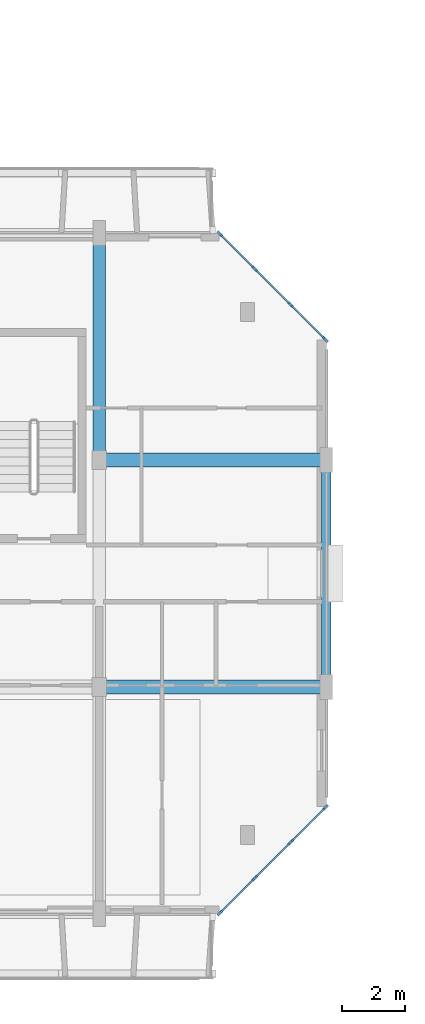
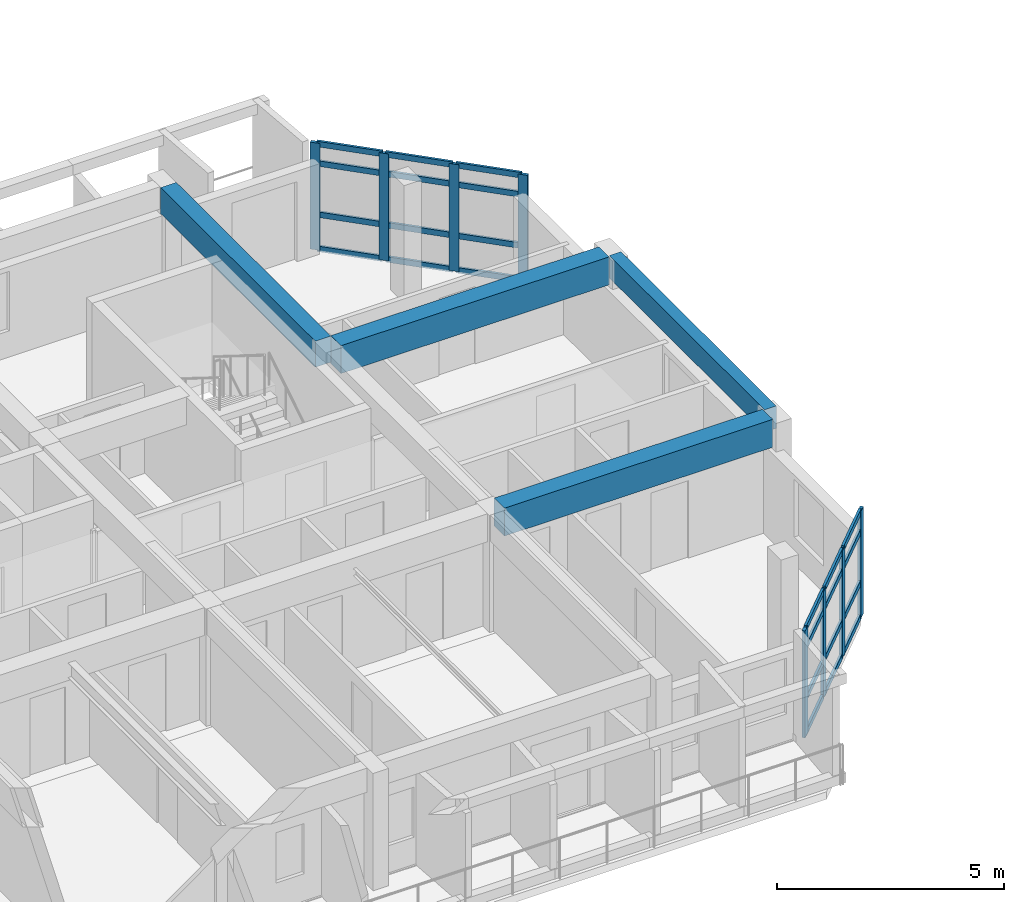
# One storey, part 4 of 45: 32 members, 4 beams, 2 elements without a shape of their own.
"""IFC4 building model written with IfcOpenShell, lengths in metres."""

from ifc_helpers import new_model, si_unit, direction, frame, origin, origin_2d, place, context, subcontext, project, spatial, rectangle, extrude, material, layer, layer_set, material_profile, profile_set, type_object, element, aggregate, save


model = new_model("IFC4")

# Units and contexts
model_context = context("Model", 3, precision=1e-05, world=origin(), true_north=direction((0.0, 1.0)))
body_context = subcontext(model_context, "Body", "Model", "MODEL_VIEW")
ifc_project = project(units=[si_unit("LENGTHUNIT", "METRE"), si_unit("AREAUNIT", "SQUARE_METRE"), si_unit("VOLUMEUNIT", "CUBIC_METRE"), si_unit("PLANEANGLEUNIT", "RADIAN"), si_unit("MASSUNIT", "GRAM", prefix="KILO")], contexts=[model_context])

# Site, building, storey
site_placement = place(None, origin())
site = spatial("IfcSite", under=ifc_project, at=site_placement, CompositionType="ELEMENT")
building_placement = place(site_placement, origin())
building = spatial("IfcBuilding", under=site, at=building_placement, Name="Ochrevale Crest", CompositionType="ELEMENT")
storey_placement = place(building_placement, frame((0.0, 0.0, 18.14990234375)))
storey = spatial("IfcBuildingStorey", under=building, at=storey_placement, Name="L05", CompositionType="ELEMENT", Elevation=18.14990234375)

# Beams
ifc_material_1 = material(Name="Precast concrete C50/60", Category="concrete")
ifc_material_profile_1 = material_profile(ifc_material_1, rectangle(XDim=0.39990234375, YDim=0.699951171875, at=origin_2d()), Name="PC 400x700")
ifc_profile_set_1 = profile_set([ifc_material_profile_1], Name="Precast concrete C50/60")
beam_type_1 = type_object("IfcBeamType", Name="BM-PC400x700", PredefinedType="BEAM", material=ifc_profile_set_1)
beam_1_placement = place(storey_placement, frame((28.800048828125, 29.0048828125, 2.800048828125), z_axis=(0.0, 1.0, 0.0), x_axis=(-1.0, 0.0, 0.0)))
element("IfcBeam", 1, at=beam_1_placement, inside=storey, type_object=beam_type_1, Name="Block A L05 N-S beam X=28.8", PredefinedType="BEAM", context=body_context, shape_type="SweptSolid", body=[
    extrude(rectangle(XDim=0.39990234375, YDim=0.699951171875, at=origin_2d()), origin(), (0.0, 0.0, 1.0), 6.815185546875),
])
ifc_material_2 = material(Name="Concrete C50/60", Category="concrete")
ifc_material_profile_2 = material_profile(ifc_material_2, rectangle(XDim=0.449951171875, YDim=0.75, at=origin_2d()), Name="RC 450x750")
ifc_profile_set_2 = profile_set([ifc_material_profile_2], Name="Concrete C50/60")
beam_type_2 = type_object("IfcBeamType", Name="BM-PG450x750", PredefinedType="USERDEFINED", material=ifc_profile_set_2)
for number, where, z_axis, x_axis, name in (
    (2, (29.0, 21.60009765625, 2.775146484375), (1.0, 0.0, 0.0), (0.0, 1.0, 0.0), "Block A L05 E-W beam Y=21.6"),
    (3, (29.0, 28.800048828125, 2.775146484375), (1.0, 0.0, 0.0), (0.0, 1.0, 0.0), "Block A L05 E-W beam Y=28.8"),
):
    element("IfcBeam", number, at=place(storey_placement, frame(where, z_axis=z_axis, x_axis=x_axis)), inside=storey, type_object=beam_type_2, Name=name, ObjectType="GIRDER", PredefinedType="USERDEFINED", context=body_context, shape_type="SweptSolid", body=[
        extrude(rectangle(XDim=0.449951171875, YDim=0.75, at=origin_2d()), origin(), (0.0, 0.0, 1.0), 6.824951171875),
    ])
ifc_material_3 = material(Name="Precast concrete C40/50", Category="concrete")
ifc_material_profile_3 = material_profile(ifc_material_3, rectangle(XDim=0.300048828125, YDim=0.60009765625, at=origin_2d()), Name="PC 300x600")
ifc_profile_set_3 = profile_set([ifc_material_profile_3], Name="Precast concrete C40/50")
beam_type_3 = type_object("IfcBeamType", Name="BM-SP300x600", PredefinedType="SPANDREL", material=ifc_profile_set_3)
beam_2_placement = place(storey_placement, frame((36.0, 21.780029296875, 2.85009765625), z_axis=(0.0, 1.0, 0.0), x_axis=(-1.0, 0.0, 0.0)))
element("IfcBeam", 4, at=beam_2_placement, inside=storey, type_object=beam_type_3, Name="Block A L05 N-S beam X=36.0", PredefinedType="SPANDREL", context=body_context, shape_type="SweptSolid", body=[
    extrude(rectangle(XDim=0.300048828125, YDim=0.60009765625, at=origin_2d()), origin(), (0.0, 0.0, 1.0), 6.840087890625),
])

# Curtain wall, members
ifc_material_4 = material(Name="Anodised aluminium 6063-T5", Category="aluminium")
ifc_layer_1 = layer(ifc_material_4, 0.14990234375)
ifc_layer_set_1 = layer_set([ifc_layer_1], Name="Anodised aluminium 6063-T5")
curtain_wall_type_1 = type_object("IfcCurtainWallType", Name="CW-WG-320x285", PredefinedType="NOTDEFINED", material=ifc_layer_set_1)
curtain_wall_1_placement = place(storey_placement, origin())
curtain_wall_1 = element("IfcCurtainWall", 5, at=curtain_wall_1_placement, inside=storey, type_object=curtain_wall_type_1, Name="Block A L05 chamfered corner wintergarden curtain wall 2", PredefinedType="NOTDEFINED")
ifc_material_profile_4 = material_profile(ifc_material_4, rectangle(XDim=0.074951171875, YDim=0.219970703125, at=origin_2d()), Name="ALU 75x220")
ifc_profile_set_4 = profile_set([ifc_material_profile_4], Name="Anodised aluminium 6063-T5")
member_type_1 = type_object("IfcMemberType", Name="CW-MUL-75x220", PredefinedType="MULLION", material=ifc_profile_set_4)
member_1_placement = place(storey_placement, frame((32.62646484375, 14.426513671875, 0.0), z_axis=(0.0, 0.0, 1.0), x_axis=(-0.707106781187, 0.707106781187, 0.0)))
member_1 = element("IfcMember", 6, at=member_1_placement, type_object=member_type_1, Name="CW17 mullion 1", PredefinedType="MULLION", context=body_context, shape_type="SweptSolid", body=[
    extrude(rectangle(XDim=0.074951171875, YDim=0.219970703125, at=origin_2d()), origin(), (0.0, 0.0, 1.0), 2.875),
])
member_2_placement = place(storey_placement, frame((33.7333984375, 15.533447265625, 0.0), z_axis=(0.0, 0.0, 1.0), x_axis=(-0.707106781187, 0.707106781187, 0.0)))
member_2 = element("IfcMember", 7, at=member_2_placement, type_object=member_type_1, Name="CW17 mullion 2", PredefinedType="MULLION", context=body_context, shape_type="SweptSolid", body=[
    extrude(rectangle(XDim=0.074951171875, YDim=0.219970703125, at=origin_2d()), origin(), (0.0, 0.0, 1.0), 2.875),
])
member_3_placement = place(storey_placement, frame((34.86669921875, 16.666748046875, 0.0), z_axis=(0.0, 0.0, 1.0), x_axis=(-0.707106781187, 0.707106781187, 0.0)))
member_3 = element("IfcMember", 8, at=member_3_placement, type_object=member_type_1, Name="CW17 mullion 3", PredefinedType="MULLION", context=body_context, shape_type="SweptSolid", body=[
    extrude(rectangle(XDim=0.074951171875, YDim=0.219970703125, at=origin_2d()), origin(), (0.0, 0.0, 1.0), 2.875),
])
member_4_placement = place(storey_placement, frame((35.973388671875, 17.7734375, 0.0), z_axis=(0.0, 0.0, 1.0), x_axis=(-0.707106781187, 0.707106781187, 0.0)))
member_4 = element("IfcMember", 9, at=member_4_placement, type_object=member_type_1, Name="CW17 mullion 4", PredefinedType="MULLION", context=body_context, shape_type="SweptSolid", body=[
    extrude(rectangle(XDim=0.074951171875, YDim=0.219970703125, at=origin_2d()), origin(), (0.0, 0.0, 1.0), 2.875),
])

ifc_layer_2 = layer(ifc_material_4, 0.14990234375)
ifc_layer_set_2 = layer_set([ifc_layer_2], Name="Anodised aluminium 6063-T5")
curtain_wall_type_2 = type_object("IfcCurtainWallType", Name="CW-WG-420x285", PredefinedType="NOTDEFINED", material=ifc_layer_set_2)
curtain_wall_2_placement = place(storey_placement, origin())
curtain_wall_2 = element("IfcCurtainWall", 10, at=curtain_wall_2_placement, inside=storey, type_object=curtain_wall_type_2, Name="Block A L05 chamfered corner wintergarden curtain wall 4", PredefinedType="NOTDEFINED")
member_5_placement = place(storey_placement, frame((35.973388671875, 32.62646484375, 0.0), z_axis=(0.0, 0.0, 1.0), x_axis=(-0.707106781187, -0.707106781187, 0.0)))
member_5 = element("IfcMember", 11, at=member_5_placement, type_object=member_type_1, Name="CW22 mullion 1", PredefinedType="MULLION", context=body_context, shape_type="SweptSolid", body=[
    extrude(rectangle(XDim=0.074951171875, YDim=0.219970703125, at=origin_2d()), origin(), (0.0, 0.0, 1.0), 2.875),
])
member_6_placement = place(storey_placement, frame((34.86669921875, 33.7333984375, 0.0), z_axis=(0.0, 0.0, 1.0), x_axis=(-0.707106781187, -0.707106781187, 0.0)))
member_6 = element("IfcMember", 12, at=member_6_placement, type_object=member_type_1, Name="CW22 mullion 2", PredefinedType="MULLION", context=body_context, shape_type="SweptSolid", body=[
    extrude(rectangle(XDim=0.074951171875, YDim=0.219970703125, at=origin_2d()), origin(), (0.0, 0.0, 1.0), 2.875),
])
member_7_placement = place(storey_placement, frame((33.7333984375, 34.86669921875, 0.0), z_axis=(0.0, 0.0, 1.0), x_axis=(-0.707106781187, -0.707106781187, 0.0)))
member_7 = element("IfcMember", 13, at=member_7_placement, type_object=member_type_1, Name="CW22 mullion 3", PredefinedType="MULLION", context=body_context, shape_type="SweptSolid", body=[
    extrude(rectangle(XDim=0.074951171875, YDim=0.219970703125, at=origin_2d()), origin(), (0.0, 0.0, 1.0), 2.875),
])
member_8_placement = place(storey_placement, frame((32.62646484375, 35.973388671875, 0.0), z_axis=(0.0, 0.0, 1.0), x_axis=(-0.707106781187, -0.707106781187, 0.0)))
member_8 = element("IfcMember", 14, at=member_8_placement, type_object=member_type_1, Name="CW22 mullion 4", PredefinedType="MULLION", context=body_context, shape_type="SweptSolid", body=[
    extrude(rectangle(XDim=0.074951171875, YDim=0.219970703125, at=origin_2d()), origin(), (0.0, 0.0, 1.0), 2.875),
])

# Member
ifc_material_profile_5 = material_profile(ifc_material_4, rectangle(XDim=0.06005859375, YDim=0.14990234375, at=origin_2d()), Name="ALU 60x150")
ifc_profile_set_5 = profile_set([ifc_material_profile_5], Name="Anodised aluminium 6063-T5")
member_type_2 = type_object("IfcMemberType", Name="CW-TRN-60x150", PredefinedType="USERDEFINED", material=ifc_profile_set_5)
member_9_placement = place(storey_placement, frame((32.653076171875, 14.453125, 0.030029296875), z_axis=(0.707106781187, 0.707106781187, 0.0), x_axis=(-0.707106781187, 0.707106781187, 0.0)))
member_9 = element("IfcMember", 15, at=member_9_placement, type_object=member_type_2, Name="CW17 transom 1.1", ObjectType="TRANSOM", PredefinedType="USERDEFINED", context=body_context, shape_type="SweptSolid", body=[
    extrude(rectangle(XDim=0.06005859375, YDim=0.14990234375, at=origin_2d()), origin(), (0.0, 0.0, 1.0), 1.490234375),
])

member_10_placement = place(storey_placement, frame((32.653076171875, 14.453125, 0.9501953125), z_axis=(0.707106781187, 0.707106781187, 0.0), x_axis=(-0.707106781187, 0.707106781187, 0.0)))
member_10 = element("IfcMember", 16, at=member_10_placement, type_object=member_type_2, Name="CW17 transom 1.2", ObjectType="TRANSOM", PredefinedType="USERDEFINED", context=body_context, shape_type="SweptSolid", body=[
    extrude(rectangle(XDim=0.06005859375, YDim=0.14990234375, at=origin_2d()), origin(), (0.0, 0.0, 1.0), 1.490234375),
])

member_11_placement = place(storey_placement, frame((32.653076171875, 14.453125, 2.3251953125), z_axis=(0.707106781187, 0.707106781187, 0.0), x_axis=(-0.707106781187, 0.707106781187, 0.0)))
member_11 = element("IfcMember", 17, at=member_11_placement, type_object=member_type_2, Name="CW17 transom 1.3", ObjectType="TRANSOM", PredefinedType="USERDEFINED", context=body_context, shape_type="SweptSolid", body=[
    extrude(rectangle(XDim=0.06005859375, YDim=0.14990234375, at=origin_2d()), origin(), (0.0, 0.0, 1.0), 1.490234375),
])

member_12_placement = place(storey_placement, frame((32.653076171875, 14.453125, 2.84521484375), z_axis=(0.707106781187, 0.707106781187, 0.0), x_axis=(-0.707106781187, 0.707106781187, 0.0)))
member_12 = element("IfcMember", 18, at=member_12_placement, type_object=member_type_2, Name="CW17 transom 1.4", ObjectType="TRANSOM", PredefinedType="USERDEFINED", context=body_context, shape_type="SweptSolid", body=[
    extrude(rectangle(XDim=0.06005859375, YDim=0.14990234375, at=origin_2d()), origin(), (0.0, 0.0, 1.0), 1.490234375),
])

member_13_placement = place(storey_placement, frame((33.759765625, 15.559814453125, 0.030029296875), z_axis=(0.707106781187, 0.707106781187, 0.0), x_axis=(-0.707106781187, 0.707106781187, 0.0)))
member_13 = element("IfcMember", 19, at=member_13_placement, type_object=member_type_2, Name="CW17 transom 2.1", ObjectType="TRANSOM", PredefinedType="USERDEFINED", context=body_context, shape_type="SweptSolid", body=[
    extrude(rectangle(XDim=0.06005859375, YDim=0.14990234375, at=origin_2d()), origin(), (0.0, 0.0, 1.0), 1.52783203125),
])

member_14_placement = place(storey_placement, frame((33.759765625, 15.559814453125, 0.9501953125), z_axis=(0.707106781187, 0.707106781187, 0.0), x_axis=(-0.707106781187, 0.707106781187, 0.0)))
member_14 = element("IfcMember", 20, at=member_14_placement, type_object=member_type_2, Name="CW17 transom 2.2", ObjectType="TRANSOM", PredefinedType="USERDEFINED", context=body_context, shape_type="SweptSolid", body=[
    extrude(rectangle(XDim=0.06005859375, YDim=0.14990234375, at=origin_2d()), origin(), (0.0, 0.0, 1.0), 1.52783203125),
])

member_15_placement = place(storey_placement, frame((33.759765625, 15.559814453125, 2.3251953125), z_axis=(0.707106781187, 0.707106781187, 0.0), x_axis=(-0.707106781187, 0.707106781187, 0.0)))
member_15 = element("IfcMember", 21, at=member_15_placement, type_object=member_type_2, Name="CW17 transom 2.3", ObjectType="TRANSOM", PredefinedType="USERDEFINED", context=body_context, shape_type="SweptSolid", body=[
    extrude(rectangle(XDim=0.06005859375, YDim=0.14990234375, at=origin_2d()), origin(), (0.0, 0.0, 1.0), 1.52783203125),
])

member_16_placement = place(storey_placement, frame((33.759765625, 15.559814453125, 2.84521484375), z_axis=(0.707106781187, 0.707106781187, 0.0), x_axis=(-0.707106781187, 0.707106781187, 0.0)))
member_16 = element("IfcMember", 22, at=member_16_placement, type_object=member_type_2, Name="CW17 transom 2.4", ObjectType="TRANSOM", PredefinedType="USERDEFINED", context=body_context, shape_type="SweptSolid", body=[
    extrude(rectangle(XDim=0.06005859375, YDim=0.14990234375, at=origin_2d()), origin(), (0.0, 0.0, 1.0), 1.52783203125),
])

member_17_placement = place(storey_placement, frame((34.89306640625, 16.693115234375, 0.030029296875), z_axis=(0.707106781187, 0.707106781187, 0.0), x_axis=(-0.707106781187, 0.707106781187, 0.0)))
member_17 = element("IfcMember", 23, at=member_17_placement, type_object=member_type_2, Name="CW17 transom 3.1", ObjectType="TRANSOM", PredefinedType="USERDEFINED", context=body_context, shape_type="SweptSolid", body=[
    extrude(rectangle(XDim=0.06005859375, YDim=0.14990234375, at=origin_2d()), origin(), (0.0, 0.0, 1.0), 1.490478515625),
])

member_18_placement = place(storey_placement, frame((34.89306640625, 16.693115234375, 0.9501953125), z_axis=(0.707106781187, 0.707106781187, 0.0), x_axis=(-0.707106781187, 0.707106781187, 0.0)))
member_18 = element("IfcMember", 24, at=member_18_placement, type_object=member_type_2, Name="CW17 transom 3.2", ObjectType="TRANSOM", PredefinedType="USERDEFINED", context=body_context, shape_type="SweptSolid", body=[
    extrude(rectangle(XDim=0.06005859375, YDim=0.14990234375, at=origin_2d()), origin(), (0.0, 0.0, 1.0), 1.490478515625),
])

member_19_placement = place(storey_placement, frame((34.89306640625, 16.693115234375, 2.3251953125), z_axis=(0.707106781187, 0.707106781187, 0.0), x_axis=(-0.707106781187, 0.707106781187, 0.0)))
member_19 = element("IfcMember", 25, at=member_19_placement, type_object=member_type_2, Name="CW17 transom 3.3", ObjectType="TRANSOM", PredefinedType="USERDEFINED", context=body_context, shape_type="SweptSolid", body=[
    extrude(rectangle(XDim=0.06005859375, YDim=0.14990234375, at=origin_2d()), origin(), (0.0, 0.0, 1.0), 1.490478515625),
])

member_20_placement = place(storey_placement, frame((34.89306640625, 16.693115234375, 2.84521484375), z_axis=(0.707106781187, 0.707106781187, 0.0), x_axis=(-0.707106781187, 0.707106781187, 0.0)))
member_20 = element("IfcMember", 26, at=member_20_placement, type_object=member_type_2, Name="CW17 transom 3.4", ObjectType="TRANSOM", PredefinedType="USERDEFINED", context=body_context, shape_type="SweptSolid", body=[
    extrude(rectangle(XDim=0.06005859375, YDim=0.14990234375, at=origin_2d()), origin(), (0.0, 0.0, 1.0), 1.490478515625),
])

aggregate(curtain_wall_1, [member_1, member_2, member_3, member_4, member_9, member_10, member_11, member_12, member_13, member_14, member_15, member_16, member_17, member_18, member_19, member_20])

member_21_placement = place(storey_placement, frame((35.947021484375, 32.653076171875, 0.030029296875), z_axis=(-0.707188683865, 0.70702486902, 0.0), x_axis=(-0.70702486902, -0.707188683865, 0.0)))
member_21 = element("IfcMember", 27, at=member_21_placement, type_object=member_type_2, Name="CW22 transom 1.1", ObjectType="TRANSOM", PredefinedType="USERDEFINED", context=body_context, shape_type="SweptSolid", body=[
    extrude(rectangle(XDim=0.06005859375, YDim=0.14990234375, at=origin_2d()), origin(), (0.0, 0.0, 1.0), 1.490234375),
])

member_22_placement = place(storey_placement, frame((35.947021484375, 32.653076171875, 0.9501953125), z_axis=(-0.707188683865, 0.70702486902, 0.0), x_axis=(-0.70702486902, -0.707188683865, 0.0)))
member_22 = element("IfcMember", 28, at=member_22_placement, type_object=member_type_2, Name="CW22 transom 1.2", ObjectType="TRANSOM", PredefinedType="USERDEFINED", context=body_context, shape_type="SweptSolid", body=[
    extrude(rectangle(XDim=0.06005859375, YDim=0.14990234375, at=origin_2d()), origin(), (0.0, 0.0, 1.0), 1.490234375),
])

member_23_placement = place(storey_placement, frame((35.947021484375, 32.653076171875, 2.3251953125), z_axis=(-0.707188683865, 0.70702486902, 0.0), x_axis=(-0.70702486902, -0.707188683865, 0.0)))
member_23 = element("IfcMember", 29, at=member_23_placement, type_object=member_type_2, Name="CW22 transom 1.3", ObjectType="TRANSOM", PredefinedType="USERDEFINED", context=body_context, shape_type="SweptSolid", body=[
    extrude(rectangle(XDim=0.06005859375, YDim=0.14990234375, at=origin_2d()), origin(), (0.0, 0.0, 1.0), 1.490234375),
])

member_24_placement = place(storey_placement, frame((35.947021484375, 32.653076171875, 2.84521484375), z_axis=(-0.707188683865, 0.70702486902, 0.0), x_axis=(-0.70702486902, -0.707188683865, 0.0)))
member_24 = element("IfcMember", 30, at=member_24_placement, type_object=member_type_2, Name="CW22 transom 1.4", ObjectType="TRANSOM", PredefinedType="USERDEFINED", context=body_context, shape_type="SweptSolid", body=[
    extrude(rectangle(XDim=0.06005859375, YDim=0.14990234375, at=origin_2d()), origin(), (0.0, 0.0, 1.0), 1.490234375),
])

member_25_placement = place(storey_placement, frame((34.840087890625, 33.759765625, 0.030029296875), z_axis=(-0.707106781187, 0.707106781187, 0.0), x_axis=(-0.707106781187, -0.707106781187, 0.0)))
member_25 = element("IfcMember", 31, at=member_25_placement, type_object=member_type_2, Name="CW22 transom 2.1", ObjectType="TRANSOM", PredefinedType="USERDEFINED", context=body_context, shape_type="SweptSolid", body=[
    extrude(rectangle(XDim=0.06005859375, YDim=0.14990234375, at=origin_2d()), origin(), (0.0, 0.0, 1.0), 1.52783203125),
])

member_26_placement = place(storey_placement, frame((34.840087890625, 33.759765625, 0.9501953125), z_axis=(-0.707106781187, 0.707106781187, 0.0), x_axis=(-0.707106781187, -0.707106781187, 0.0)))
member_26 = element("IfcMember", 32, at=member_26_placement, type_object=member_type_2, Name="CW22 transom 2.2", ObjectType="TRANSOM", PredefinedType="USERDEFINED", context=body_context, shape_type="SweptSolid", body=[
    extrude(rectangle(XDim=0.06005859375, YDim=0.14990234375, at=origin_2d()), origin(), (0.0, 0.0, 1.0), 1.52783203125),
])

member_27_placement = place(storey_placement, frame((34.840087890625, 33.759765625, 2.3251953125), z_axis=(-0.707106781187, 0.707106781187, 0.0), x_axis=(-0.707106781187, -0.707106781187, 0.0)))
member_27 = element("IfcMember", 33, at=member_27_placement, type_object=member_type_2, Name="CW22 transom 2.3", ObjectType="TRANSOM", PredefinedType="USERDEFINED", context=body_context, shape_type="SweptSolid", body=[
    extrude(rectangle(XDim=0.06005859375, YDim=0.14990234375, at=origin_2d()), origin(), (0.0, 0.0, 1.0), 1.52783203125),
])

member_28_placement = place(storey_placement, frame((34.840087890625, 33.759765625, 2.84521484375), z_axis=(-0.707106781187, 0.707106781187, 0.0), x_axis=(-0.707106781187, -0.707106781187, 0.0)))
member_28 = element("IfcMember", 34, at=member_28_placement, type_object=member_type_2, Name="CW22 transom 2.4", ObjectType="TRANSOM", PredefinedType="USERDEFINED", context=body_context, shape_type="SweptSolid", body=[
    extrude(rectangle(XDim=0.06005859375, YDim=0.14990234375, at=origin_2d()), origin(), (0.0, 0.0, 1.0), 1.52783203125),
])

member_29_placement = place(storey_placement, frame((33.706787109375, 34.89306640625, 0.030029296875), z_axis=(-0.70702486902, 0.707188683865, 0.0), x_axis=(-0.707188683865, -0.70702486902, 0.0)))
member_29 = element("IfcMember", 35, at=member_29_placement, type_object=member_type_2, Name="CW22 transom 3.1", ObjectType="TRANSOM", PredefinedType="USERDEFINED", context=body_context, shape_type="SweptSolid", body=[
    extrude(rectangle(XDim=0.06005859375, YDim=0.14990234375, at=origin_2d()), origin(), (0.0, 0.0, 1.0), 1.490234375),
])

member_30_placement = place(storey_placement, frame((33.706787109375, 34.89306640625, 0.9501953125), z_axis=(-0.70702486902, 0.707188683865, 0.0), x_axis=(-0.707188683865, -0.70702486902, 0.0)))
member_30 = element("IfcMember", 36, at=member_30_placement, type_object=member_type_2, Name="CW22 transom 3.2", ObjectType="TRANSOM", PredefinedType="USERDEFINED", context=body_context, shape_type="SweptSolid", body=[
    extrude(rectangle(XDim=0.06005859375, YDim=0.14990234375, at=origin_2d()), origin(), (0.0, 0.0, 1.0), 1.490234375),
])

member_31_placement = place(storey_placement, frame((33.706787109375, 34.89306640625, 2.3251953125), z_axis=(-0.70702486902, 0.707188683865, 0.0), x_axis=(-0.707188683865, -0.70702486902, 0.0)))
member_31 = element("IfcMember", 37, at=member_31_placement, type_object=member_type_2, Name="CW22 transom 3.3", ObjectType="TRANSOM", PredefinedType="USERDEFINED", context=body_context, shape_type="SweptSolid", body=[
    extrude(rectangle(XDim=0.06005859375, YDim=0.14990234375, at=origin_2d()), origin(), (0.0, 0.0, 1.0), 1.490234375),
])

member_32_placement = place(storey_placement, frame((33.706787109375, 34.89306640625, 2.84521484375), z_axis=(-0.70702486902, 0.707188683865, 0.0), x_axis=(-0.707188683865, -0.70702486902, 0.0)))
member_32 = element("IfcMember", 38, at=member_32_placement, type_object=member_type_2, Name="CW22 transom 3.4", ObjectType="TRANSOM", PredefinedType="USERDEFINED", context=body_context, shape_type="SweptSolid", body=[
    extrude(rectangle(XDim=0.06005859375, YDim=0.14990234375, at=origin_2d()), origin(), (0.0, 0.0, 1.0), 1.490234375),
])

aggregate(curtain_wall_2, [member_5, member_6, member_7, member_8, member_21, member_22, member_23, member_24, member_25, member_26, member_27, member_28, member_29, member_30, member_31, member_32])

save(model, "model.ifc")
